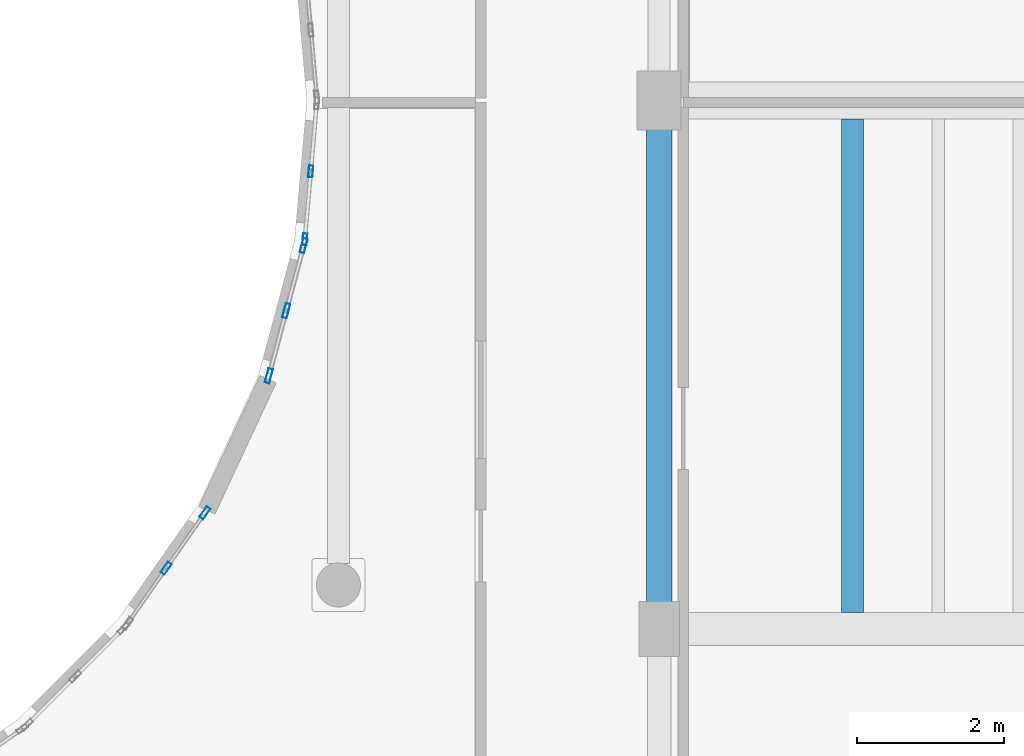
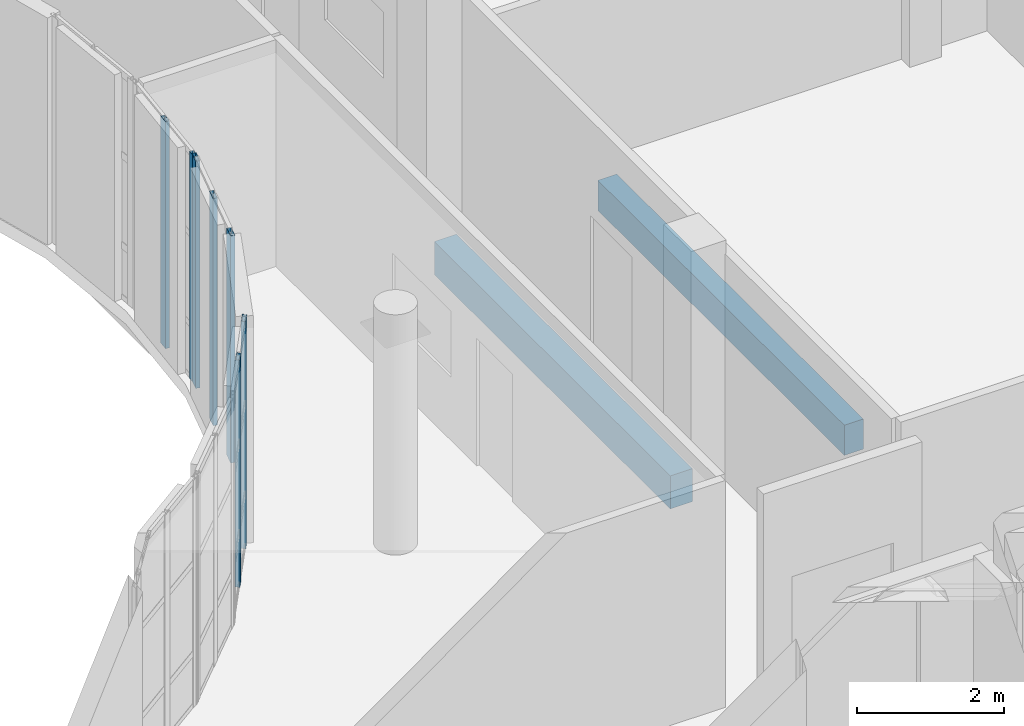
# One storey, part 29 of 92: 7 members, 2 beams, 3 elements without a shape of their own.
"""IFC4 building model written with IfcOpenShell, lengths in metres."""

from ifc_helpers import new_model, si_unit, direction, frame, origin, origin_2d, place, context, subcontext, project, spatial, rectangle, hollow_rectangle, extrude, material, layer, layer_set, material_profile, profile_set, type_object, element, aggregate, save


model = new_model("IFC4")

# Units and contexts
model_context = context("Model", 3, precision=1e-05, world=origin(), true_north=direction((0.0, 1.0)))
body_context = subcontext(model_context, "Body", "Model", "MODEL_VIEW")
ifc_project = project(units=[si_unit("LENGTHUNIT", "METRE"), si_unit("AREAUNIT", "SQUARE_METRE"), si_unit("VOLUMEUNIT", "CUBIC_METRE"), si_unit("PLANEANGLEUNIT", "RADIAN"), si_unit("MASSUNIT", "GRAM", prefix="KILO")], contexts=[model_context])

# Site, building, storey
site_placement = place(None, origin())
site = spatial("IfcSite", under=ifc_project, at=site_placement, CompositionType="ELEMENT")
building_placement = place(site_placement, origin())
building = spatial("IfcBuilding", under=site, at=building_placement, Name="Kelanivale Promenade Academy", CompositionType="ELEMENT")
storey_placement = place(building_placement, frame((0.0, 0.0, 8.199951171875)))
storey = spatial("IfcBuildingStorey", under=building, at=storey_placement, Name="L02", CompositionType="ELEMENT", Elevation=8.199951171875)

# Curtain wall, members
ifc_material_1 = material(Name="Bronze anodised aluminium and solar-control low-E glass", Category="aluminium")
ifc_layer_1 = layer(ifc_material_1, 0.159912109375)
ifc_layer_set_1 = layer_set([ifc_layer_1], Name="Bronze anodised aluminium and solar-control low-E glass")
curtain_wall_type_1 = type_object("IfcCurtainWallType", Name="CW-09 Curtain Wall 1650mm Module", PredefinedType="USERDEFINED", material=ifc_layer_set_1)
curtain_wall_1_placement = place(storey_placement, origin())
curtain_wall_1 = element("IfcCurtainWall", 1, at=curtain_wall_1_placement, inside=storey, type_object=curtain_wall_type_1, Name="L02 courtyard curtain wall CW-09", ObjectType="UNITISED GLAZING", PredefinedType="USERDEFINED")
ifc_material_2 = material(Name="Bronze anodised aluminium EN AW-6063 T6", Category="aluminium")
ifc_material_profile_1 = material_profile(ifc_material_2, hollow_rectangle(XDim=0.06005859375, YDim=0.159912109375, WallThickness=0.00390625, at=origin_2d()), Name="ALU 60x160x4.0")
ifc_profile_set_1 = profile_set([ifc_material_profile_1], Name="Bronze anodised aluminium EN AW-6063 T6")
member_type_1 = type_object("IfcMemberType", Name="CWM-01 ALU 60x160x4.0", PredefinedType="MULLION", material=ifc_profile_set_1)
member_1_placement = place(storey_placement, frame((74.37451171875, 54.907958984375, 0.0), z_axis=(0.0, 0.0, 1.0), x_axis=(-0.996199376727, 0.087102249164, 0.0)))
member_1 = element("IfcMember", 2, at=member_1_placement, type_object=member_type_1, Name="CW-09 mullion 1", PredefinedType="MULLION", context=body_context, shape_type="SweptSolid", body=[
    extrude(hollow_rectangle(XDim=0.06005859375, YDim=0.159912109375, WallThickness=0.00390625, at=origin_2d()), origin(), (0.0, 0.0, 1.0), 3.780029296875),
])
member_2_placement = place(storey_placement, frame((74.45556640625, 55.8330078125, 0.0), z_axis=(0.0, 0.0, 1.0), x_axis=(-0.996199376727, 0.087102249164, 0.0)))
member_2 = element("IfcMember", 3, at=member_2_placement, type_object=member_type_1, Name="CW-09 mullion 2", PredefinedType="MULLION", context=body_context, shape_type="SweptSolid", body=[
    extrude(hollow_rectangle(XDim=0.06005859375, YDim=0.159912109375, WallThickness=0.00390625, at=origin_2d()), origin(), (0.0, 0.0, 1.0), 3.780029296875),
])
aggregate(curtain_wall_1, [member_1, member_2])

ifc_layer_2 = layer(ifc_material_1, 0.169921875)
ifc_layer_set_2 = layer_set([ifc_layer_2], Name="Bronze anodised aluminium and solar-control low-E glass")
curtain_wall_type_2 = type_object("IfcCurtainWallType", Name="CW-07 Curtain Wall 1350mm Module", PredefinedType="USERDEFINED", material=ifc_layer_set_2)
curtain_wall_2_placement = place(storey_placement, origin())
curtain_wall_2 = element("IfcCurtainWall", 4, at=curtain_wall_2_placement, inside=storey, type_object=curtain_wall_type_2, Name="L02 courtyard curtain wall CW-07", ObjectType="UNITISED GLAZING", PredefinedType="USERDEFINED")
ifc_material_profile_2 = material_profile(ifc_material_2, hollow_rectangle(XDim=0.06494140625, YDim=0.175048828125, WallThickness=0.00390625, at=origin_2d()), Name="ALU 65x175x4.0")
ifc_profile_set_2 = profile_set([ifc_material_profile_2], Name="Bronze anodised aluminium EN AW-6063 T6")
member_type_2 = type_object("IfcMemberType", Name="CWM-03 ALU 65x175x4.0", PredefinedType="MULLION", material=ifc_profile_set_2)
member_3_placement = place(storey_placement, frame((72.486572265625, 50.428466796875, 0.0), z_axis=(0.0, 0.0, 1.0), x_axis=(-0.819305982099, 0.573356527561, 0.0)))
member_3 = element("IfcMember", 5, at=member_3_placement, type_object=member_type_2, Name="CW-07 mullion 2", PredefinedType="MULLION", context=body_context, shape_type="SweptSolid", body=[
    extrude(hollow_rectangle(XDim=0.06494140625, YDim=0.175048828125, WallThickness=0.00390625, at=origin_2d()), origin(), (0.0, 0.0, 1.0), 3.780029296875),
])
member_4_placement = place(storey_placement, frame((73.013427734375, 51.181396484375, 0.0), z_axis=(0.0, 0.0, 1.0), x_axis=(-0.819305982099, 0.573356527561, 0.0)))
member_4 = element("IfcMember", 6, at=member_4_placement, type_object=member_type_2, Name="CW-07 mullion 3", PredefinedType="MULLION", context=body_context, shape_type="SweptSolid", body=[
    extrude(hollow_rectangle(XDim=0.06494140625, YDim=0.175048828125, WallThickness=0.00390625, at=origin_2d()), origin(), (0.0, 0.0, 1.0), 3.780029296875),
])
aggregate(curtain_wall_2, [member_3, member_4])

ifc_layer_3 = layer(ifc_material_1, 0.179931640625)
ifc_layer_set_3 = layer_set([ifc_layer_3], Name="Bronze anodised aluminium and solar-control low-E glass")
curtain_wall_type_3 = type_object("IfcCurtainWallType", Name="CW-08 Curtain Wall 1500mm Module", PredefinedType="USERDEFINED", material=ifc_layer_set_3)
curtain_wall_3_placement = place(storey_placement, origin())
curtain_wall_3 = element("IfcCurtainWall", 7, at=curtain_wall_3_placement, inside=storey, type_object=curtain_wall_type_3, Name="L02 courtyard curtain wall CW-08", ObjectType="UNITISED GLAZING", PredefinedType="USERDEFINED")
ifc_material_profile_3 = material_profile(ifc_material_2, hollow_rectangle(XDim=0.06494140625, YDim=0.199951171875, WallThickness=0.00439453125, at=origin_2d()), Name="ALU 65x200x4.5")
ifc_profile_set_3 = profile_set([ifc_material_profile_3], Name="Bronze anodised aluminium EN AW-6063 T6")
member_type_3 = type_object("IfcMemberType", Name="CWM-04 ALU 65x200x4.5", PredefinedType="MULLION", material=ifc_profile_set_3)
member_5_placement = place(storey_placement, frame((73.884521484375, 53.04736328125, 0.0), z_axis=(0.0, 0.0, 1.0), x_axis=(-0.965990259056, 0.258578458902, 0.0)))
member_5 = element("IfcMember", 8, at=member_5_placement, type_object=member_type_3, Name="CW-08 mullion 1", PredefinedType="MULLION", context=body_context, shape_type="SweptSolid", body=[
    extrude(hollow_rectangle(XDim=0.06494140625, YDim=0.199951171875, WallThickness=0.00439453125, at=origin_2d()), origin(), (0.0, 0.0, 1.0), 3.780029296875),
])
member_6_placement = place(storey_placement, frame((74.1220703125, 53.93505859375, 0.0), z_axis=(0.0, 0.0, 1.0), x_axis=(-0.965990259056, 0.258578458902, 0.0)))
member_6 = element("IfcMember", 9, at=member_6_placement, type_object=member_type_3, Name="CW-08 mullion 2", PredefinedType="MULLION", context=body_context, shape_type="SweptSolid", body=[
    extrude(hollow_rectangle(XDim=0.06494140625, YDim=0.199951171875, WallThickness=0.00439453125, at=origin_2d()), origin(), (0.0, 0.0, 1.0), 3.780029296875),
])
member_7_placement = place(storey_placement, frame((74.359619140625, 54.822509765625, 0.0), z_axis=(0.0, 0.0, 1.0), x_axis=(-0.965990259056, 0.258578458902, 0.0)))
member_7 = element("IfcMember", 10, at=member_7_placement, type_object=member_type_3, Name="CW-08 mullion 3", PredefinedType="MULLION", context=body_context, shape_type="SweptSolid", body=[
    extrude(hollow_rectangle(XDim=0.06494140625, YDim=0.199951171875, WallThickness=0.00439453125, at=origin_2d()), origin(), (0.0, 0.0, 1.0), 3.780029296875),
])
aggregate(curtain_wall_3, [member_5, member_6, member_7])

# Beams
ifc_material_3 = material(Name="Concrete C35/45", Category="concrete")
ifc_material_profile_4 = material_profile(ifc_material_3, rectangle(XDim=0.300048828125, YDim=0.5, at=origin_2d()), Name="RC-BM 300x500")
ifc_profile_set_4 = profile_set([ifc_material_profile_4], Name="Concrete C35/45")
beam_type_1 = type_object("IfcBeamType", Name="JS-01 RC-BM 300x500", PredefinedType="JOIST", material=ifc_profile_set_4)
beam_1_placement = place(storey_placement, frame((81.83203125, 49.824951171875, -0.469970703125), z_axis=(0.0, 1.0, 0.0), x_axis=(-1.0, 0.0, 0.0)))
element("IfcBeam", 11, at=beam_1_placement, inside=storey, type_object=beam_type_1, Name="L02 secondary sub-beam JS-01", PredefinedType="JOIST", context=body_context, shape_type="SweptSolid", body=[
    extrude(rectangle(XDim=0.300048828125, YDim=0.5, at=origin_2d()), origin(), (0.0, 0.0, 1.0), 6.72509765625),
])
ifc_material_profile_5 = material_profile(ifc_material_3, rectangle(XDim=0.35009765625, YDim=0.550048828125, at=origin_2d()), Name="RC-BM 350x550")
ifc_profile_set_5 = profile_set([ifc_material_profile_5], Name="Concrete C35/45")
beam_type_2 = type_object("IfcBeamType", Name="JS-06 RC-BM 350x550", PredefinedType="JOIST", material=ifc_profile_set_5)
beam_2_placement = place(storey_placement, frame((79.199951171875, 49.969970703125, -0.494873046875), z_axis=(0.0, 1.0, 0.0), x_axis=(-1.0, 0.0, 0.0)))
element("IfcBeam", 12, at=beam_2_placement, inside=storey, type_object=beam_type_2, Name="L02 beam JS-06", PredefinedType="JOIST", context=body_context, shape_type="SweptSolid", body=[
    extrude(rectangle(XDim=0.35009765625, YDim=0.550048828125, at=origin_2d()), origin(), (0.0, 0.0, 1.0), 6.43505859375),
])

save(model, "model.ifc")
